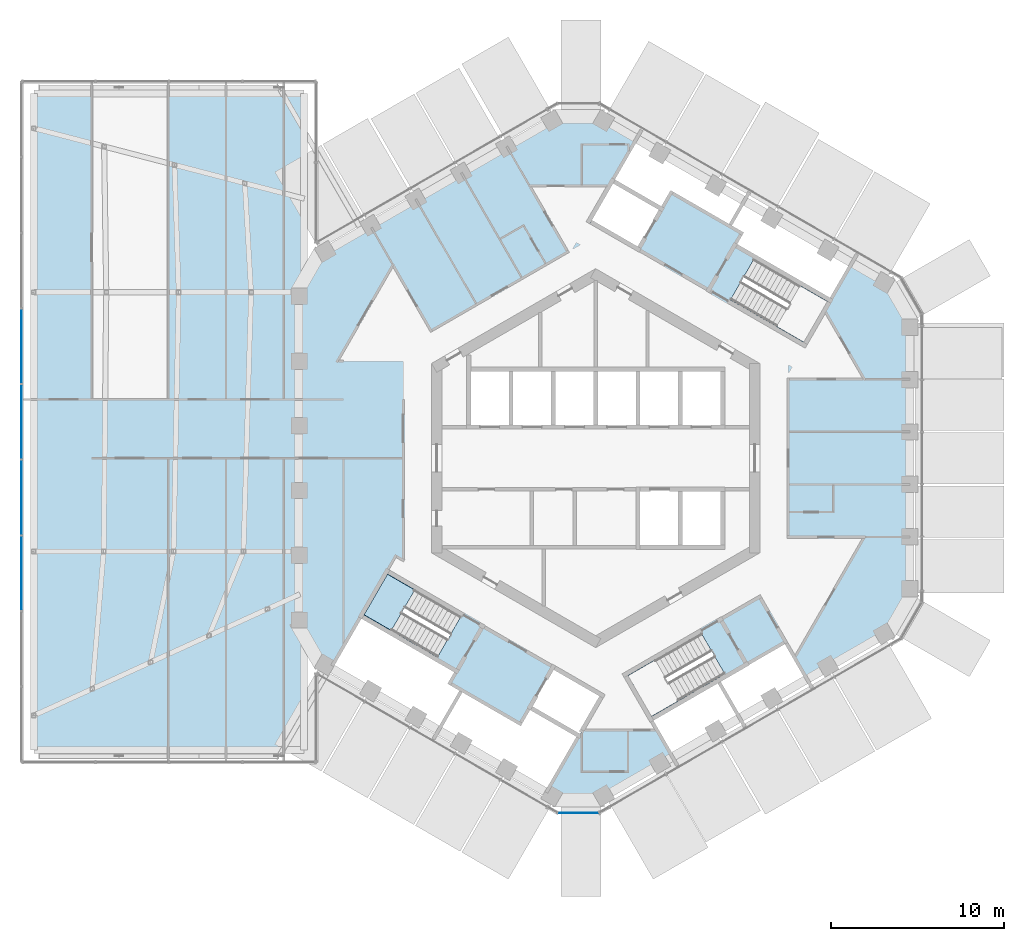
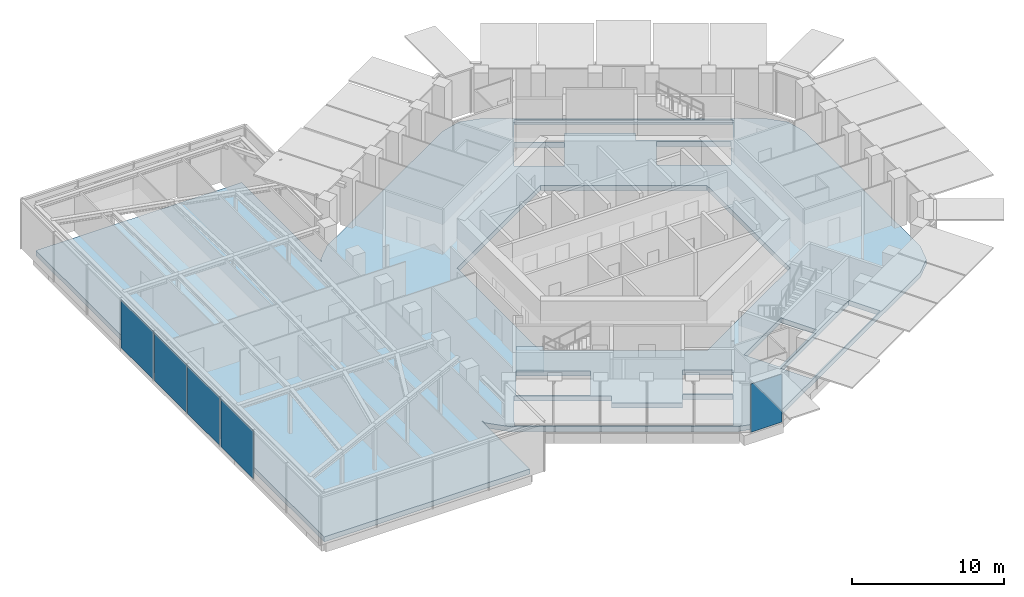
# One storey, part 11 of 24: 5 plates, 2 slabs, 3 elements without a shape of their own.
"""IFC4 building model written with IfcOpenShell, lengths in metres."""

from ifc_helpers import new_model, si_unit, direction, frame, origin, origin_2d, place, context, subcontext, project, spatial, polyline, rectangle, outline, extrude, material, layer, layer_set, type_object, element, aggregate, save


model = new_model("IFC4")

# Units and contexts
model_context = context("Model", 3, precision=1e-05, world=origin(), true_north=direction((0.0, 1.0)))
body_context = subcontext(model_context, "Body", "Model", "MODEL_VIEW")
ifc_project = project(units=[si_unit("LENGTHUNIT", "METRE"), si_unit("AREAUNIT", "SQUARE_METRE"), si_unit("VOLUMEUNIT", "CUBIC_METRE"), si_unit("PLANEANGLEUNIT", "RADIAN"), si_unit("MASSUNIT", "GRAM", prefix="KILO")], contexts=[model_context])

# Site, building, storey
site_placement = place(None, origin())
site = spatial("IfcSite", under=ifc_project, at=site_placement, CompositionType="ELEMENT")
building_placement = place(site_placement, origin())
building = spatial("IfcBuilding", under=site, at=building_placement, Name="Ayvan Gate Tower", CompositionType="ELEMENT")
storey_placement = place(building_placement, frame((0.0, 0.0, 210.10009765625)))
storey = spatial("IfcBuildingStorey", under=building, at=storey_placement, Name="L56", CompositionType="ELEMENT", Elevation=210.10009765625)

# Slab
ifc_material_1 = material(Name="Concrete C40/50", Category="concrete")
ifc_layer_1 = layer(ifc_material_1, 0.39990234375)
ifc_layer_set_1 = layer_set([ifc_layer_1], Name="Concrete C40/50")
slab_type_1 = type_object("IfcSlabType", Name="Post-tensioned flat slab 400", PredefinedType="FLOOR", material=ifc_layer_set_1)
slab_1_placement = place(storey_placement, frame((0.0, 0.0, -0.400146484375)))
element("IfcSlab", 1, at=slab_1_placement, inside=storey, type_object=slab_type_1, Name="SL-L56", PredefinedType="FLOOR", context=body_context, shape_type="SweptSolid", body=[
    extrude(outline(polyline([(-16.78271484375, -10.846435546875), (-16.884521484375, -10.466064453125), (-16.884521484375, -16.89990234375), (-32.524169921875, -16.89990234375), (-32.524169921875, 21.10009765625), (-16.884521484375, 21.10009765625), (-16.884521484375, 10.466064453125), (-16.78271484375, 10.846435546875), (-15.6845703125, 11.944580078125), (-2.501953125, 19.555419921875), (-1.001953125, 19.95751953125), (0.498046875, 19.555419921875), (16.6865234375, 10.209228515625), (17.78466796875, 9.111083984375), (18.1865234375, 7.611083984375), (18.1865234375, -7.611083984375), (17.78466796875, -9.111083984375), (16.6865234375, -10.209228515625), (0.498046875, -19.555419921875), (-1.001953125, -19.95751953125), (-2.501953125, -19.555419921875), (-15.6845703125, -11.944580078125), (-16.78271484375, -10.846435546875)]), holes=[polyline([(4.37255859375, 15.373291015625), (7.75, 13.42333984375), (8.44287109375, 13.0234375), (8.042724609375, 12.33056640625), (13.58544921875, 9.130615234375), (14.777587890625, 11.19580078125), (2.306884765625, 18.395751953125), (1.0146484375, 16.157470703125), (3.87255859375, 14.50732421875), (4.37255859375, 15.373291015625)]), polyline([(7.80615234375, 9.170654296875), (12.049560546875, 6.720458984375), (13.404541015625, 9.0673828125), (9.1611328125, 11.517578125), (7.80615234375, 9.170654296875)]), polyline([(3.578369140625, -15.7978515625), (4.385498046875, -17.19580078125), (12.1796875, -12.69580078125), (10.9873046875, -10.630615234375), (8.735595703125, -11.9306640625), (7.090087890625, -12.880615234375), (3.193115234375, -15.130615234375), (3.49462890625, -15.652587890625), (3.578369140625, -15.7978515625)]), polyline([(-9.5, -5.48486328125), (0.0, -10.9697265625), (9.5, -5.48486328125), (9.5, 5.48486328125), (0.0, 10.9697265625), (-9.5, 5.48486328125), (-9.5, -5.48486328125)]), polyline([(6.117431640625, -10.1455078125), (1.873779296875, -12.595458984375), (3.228759765625, -14.9423828125), (7.472412109375, -12.492431640625), (6.117431640625, -10.1455078125)]), polyline([(0.964599609375, 16.07080078125), (-0.2353515625, 13.9921875), (-0.385498046875, 13.732421875), (1.04443359375, 12.906982421875), (2.472412109375, 12.08251953125), (3.822509765625, 14.420654296875), (0.964599609375, 16.07080078125)]), polyline([(-1.04443359375, -12.906982421875), (-2.472412109375, -12.08251953125), (-3.822509765625, -14.420654296875), (-0.964599609375, -16.07080078125), (-0.78369140625, -15.75732421875), (0.385498046875, -13.732421875), (-0.515869140625, -13.212158203125), (-1.04443359375, -12.906982421875)]), polyline([(-15.278564453125, -12.0634765625), (-2.807861328125, -19.263427734375), (-1.0146484375, -16.157470703125), (-3.87255859375, -14.50732421875), (-4.37255859375, -15.373291015625), (-7.75, -13.42333984375), (-8.44287109375, -13.0234375), (-8.042724609375, -12.33056640625), (-13.58544921875, -9.130615234375), (-15.278564453125, -12.0634765625)]), polyline([(-13.404541015625, -9.0673828125), (-9.1611328125, -11.517578125), (-7.80615234375, -9.170654296875), (-12.049560546875, -6.720458984375), (-13.404541015625, -9.0673828125)])]), origin(), (0.0, 0.0, 1.0), 0.400146484375),
])

# Stair, slab
stair_type = type_object("IfcStairType", Name="ST-EXIT", PredefinedType="HALF_TURN_STAIR", material=ifc_material_1)
stair_placement = place(storey_placement, origin())
stair = element("IfcStair", 2, at=stair_placement, inside=storey, type_object=stair_type, Name="L56 Exit Stair S2", PredefinedType="HALF_TURN_STAIR")
ifc_layer_2 = layer(ifc_material_1, 0.199951171875)
ifc_layer_set_2 = layer_set([ifc_layer_2], Name="Concrete C40/50")
slab_type_2 = type_object("IfcSlabType", Name="SL-LANDING-200", PredefinedType="LANDING", material=ifc_layer_set_2)
slab_2_placement = place(storey_placement, frame((0.0, 0.0, 1.7998046875)))
slab_2 = element("IfcSlab", 3, at=slab_2_placement, type_object=slab_type_2, Name="STS2 landing 1", PredefinedType="LANDING", context=body_context, shape_type="SweptSolid", body=[
    extrude(outline(polyline([(-10.473388671875, -7.630615234375), (-12.049560546875, -6.720458984375), (-13.404541015625, -9.0673828125), (-11.828369140625, -9.9775390625), (-10.473388671875, -7.630615234375)])), origin(), (0.0, 0.0, 1.0), 0.2001953125),
])
aggregate(stair, [slab_2])

# Curtain wall, plates
ifc_material_2 = material(Name="Bronze anodised aluminium", Category="aluminium")
ifc_layer_3 = layer(ifc_material_2, 0.199951171875)
ifc_layer_set_3 = layer_set([ifc_layer_3], Name="Bronze anodised aluminium")
curtain_wall_type_1 = type_object("IfcCurtainWallType", Name="Stick curtain wall CW-4", PredefinedType="NOTDEFINED", material=ifc_layer_set_3)
curtain_wall_1_placement = place(storey_placement, origin())
curtain_wall_1 = element("IfcCurtainWall", 4, at=curtain_wall_1_placement, inside=storey, type_object=curtain_wall_type_1, Name="Stick curtain wall CW-4 L56", PredefinedType="NOTDEFINED")
ifc_material_3 = material(Name="Clear low-iron laminated glass", Category="glass")
ifc_layer_4 = layer(ifc_material_3, 0.028076171875)
ifc_layer_set_4 = layer_set([ifc_layer_4], Name="Clear low-iron laminated glass")
plate_type_1 = type_object("IfcPlateType", Name="Stick curtain wall CW-4 glass panel", PredefinedType="CURTAIN_PANEL", material=ifc_layer_set_4)
plate_1_placement = place(storey_placement, frame((-33.224365234375, 6.477783203125, 0.0), z_axis=(0.0, 0.0, 1.0), x_axis=(0.0, -1.0, 0.0)))
plate_1 = element("IfcPlate", 5, at=plate_1_placement, type_object=plate_type_1, Name="CW-4 glass panel 4", PredefinedType="CURTAIN_PANEL", context=body_context, shape_type="SweptSolid", body=[
    extrude(rectangle(XDim=4.2978515625, YDim=0.028076171875, at=origin_2d()), origin(), (0.0, 0.0, 1.0), 3.860107421875),
])
plate_2_placement = place(storey_placement, frame((-33.224365234375, 2.10009765625, 0.0), z_axis=(0.0, 0.0, 1.0), x_axis=(0.0, -1.0, 0.0)))
plate_2 = element("IfcPlate", 6, at=plate_2_placement, type_object=plate_type_1, Name="CW-4 glass panel 5", PredefinedType="CURTAIN_PANEL", context=body_context, shape_type="SweptSolid", body=[
    extrude(rectangle(XDim=4.2978515625, YDim=0.028076171875, at=origin_2d()), origin(), (0.0, 0.0, 1.0), 3.860107421875),
])
plate_3_placement = place(storey_placement, frame((-33.224365234375, -2.27783203125, 0.0), z_axis=(0.0, 0.0, 1.0), x_axis=(0.0, -1.0, 0.0)))
plate_3 = element("IfcPlate", 7, at=plate_3_placement, type_object=plate_type_1, Name="CW-4 glass panel 6", PredefinedType="CURTAIN_PANEL", context=body_context, shape_type="SweptSolid", body=[
    extrude(rectangle(XDim=4.2978515625, YDim=0.028076171875, at=origin_2d()), origin(), (0.0, 0.0, 1.0), 3.860107421875),
])
plate_4_placement = place(storey_placement, frame((-33.224365234375, -6.655517578125, 0.0), z_axis=(0.0, 0.0, 1.0), x_axis=(0.0, -1.0, 0.0)))
plate_4 = element("IfcPlate", 8, at=plate_4_placement, type_object=plate_type_1, Name="CW-4 glass panel 7", PredefinedType="CURTAIN_PANEL", context=body_context, shape_type="SweptSolid", body=[
    extrude(rectangle(XDim=4.2978515625, YDim=0.028076171875, at=origin_2d()), origin(), (0.0, 0.0, 1.0), 3.860107421875),
])
aggregate(curtain_wall_1, [plate_1, plate_2, plate_3, plate_4])

# Curtain wall, plate
ifc_layer_5 = layer(ifc_material_2, 0.199951171875)
ifc_layer_set_5 = layer_set([ifc_layer_5], Name="Bronze anodised aluminium")
curtain_wall_type_2 = type_object("IfcCurtainWallType", Name="Stick curtain wall CW-6", PredefinedType="NOTDEFINED", material=ifc_layer_set_5)
curtain_wall_2_placement = place(storey_placement, origin())
curtain_wall_2 = element("IfcCurtainWall", 9, at=curtain_wall_2_placement, inside=storey, type_object=curtain_wall_type_2, Name="Stick curtain wall CW-6 L56", PredefinedType="NOTDEFINED")
ifc_layer_6 = layer(ifc_material_3, 0.028076171875)
ifc_layer_set_6 = layer_set([ifc_layer_6], Name="Clear low-iron laminated glass")
plate_type_2 = type_object("IfcPlateType", Name="Stick curtain wall CW-6 glass panel", PredefinedType="CURTAIN_PANEL", material=ifc_layer_set_6)
plate_5_placement = place(storey_placement, frame((-1.001953125, -20.53271484375, 0.0), z_axis=(0.0, 0.0, 1.0), x_axis=(1.0, 0.0, 0.0)))
plate_5 = element("IfcPlate", 10, at=plate_5_placement, type_object=plate_type_2, Name="CW-6 glass panel 2", PredefinedType="CURTAIN_PANEL", context=body_context, shape_type="SweptSolid", body=[
    extrude(rectangle(XDim=2.364501953125, YDim=0.028076171875, at=origin_2d()), origin(), (0.0, 0.0, 1.0), 3.8798828125),
])
aggregate(curtain_wall_2, [plate_5])

save(model, "model.ifc")
